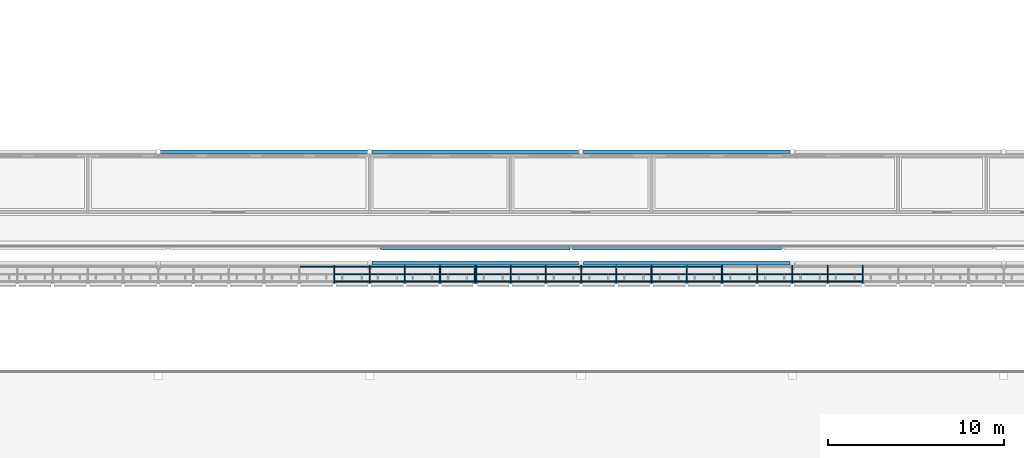
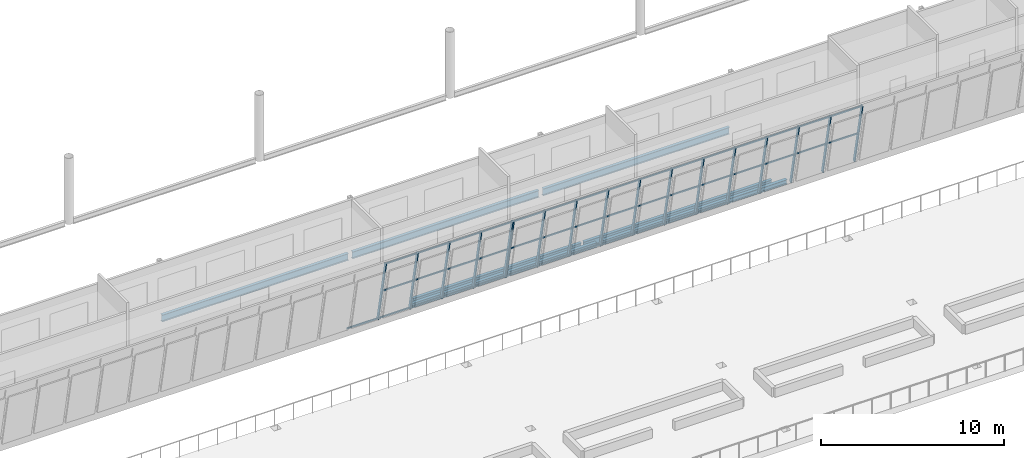
# One storey, part 19 of 95: 59 members, 7 beams, 2 elements without a shape of their own.
"""IFC4 building model written with IfcOpenShell, lengths in metres."""

from ifc_helpers import new_model, si_unit, direction, frame, origin, origin_2d, place, context, subcontext, project, spatial, rectangle, i_section, extrude, material, layer, layer_set, material_profile, profile_set, type_object, element, aggregate, save


model = new_model("IFC4")

# Units and contexts
model_context = context("Model", 3, precision=1e-05, world=origin(), true_north=direction((0.0, 1.0)))
body_context = subcontext(model_context, "Body", "Model", "MODEL_VIEW")
ifc_project = project(units=[si_unit("LENGTHUNIT", "METRE"), si_unit("AREAUNIT", "SQUARE_METRE"), si_unit("VOLUMEUNIT", "CUBIC_METRE"), si_unit("PLANEANGLEUNIT", "RADIAN"), si_unit("MASSUNIT", "GRAM", prefix="KILO")], contexts=[model_context])

# Site, building, storey
site_placement = place(None, origin())
site = spatial("IfcSite", under=ifc_project, at=site_placement, CompositionType="ELEMENT")
building_placement = place(site_placement, origin())
building = spatial("IfcBuilding", under=site, at=building_placement, Name="Windward Yard Aquatics Centre", CompositionType="ELEMENT")
storey_placement = place(building_placement, frame((0.0, 0.0, 9.39990234375)))
storey = spatial("IfcBuildingStorey", under=building, at=storey_placement, Name="L02", CompositionType="ELEMENT", Elevation=9.39990234375)

# Curtain wall, members
ifc_material_1 = material(Name="Glass and aluminium curtain wall", Category="aluminium")
ifc_layer = layer(ifc_material_1, 0.179931640625)
ifc_layer_set = layer_set([ifc_layer], Name="H curtain wall tier 1 double glazed 8+16+8")
curtain_wall_type = type_object("IfcCurtainWallType", Name="H curtain wall tier 1 double glazed 8+16+8", PredefinedType="NOTDEFINED", material=ifc_layer_set)
curtain_wall_1_placement = place(storey_placement, origin())
curtain_wall_1 = element("IfcCurtainWall", 1, at=curtain_wall_1_placement, inside=storey, type_object=curtain_wall_type, Name="Tier 1 glazing S L02", PredefinedType="NOTDEFINED")
ifc_material_2 = material(Name="Aluminium 6063-T6 anodised", Category="aluminium")
ifc_material_profile_1 = material_profile(ifc_material_2, rectangle(XDim=0.06494140625, YDim=0.179931640625, at=origin_2d()), Name="H CW mullion 65x180")
ifc_profile_set_1 = profile_set([ifc_material_profile_1], Name="Aluminium 6063-T6 anodised")
member_type_1 = type_object("IfcMemberType", Name="H CW mullion 65x180", PredefinedType="MULLION", material=ifc_profile_set_1)
member_1_placement = place(storey_placement, frame((93.99609375, 25.196533203125, 0.0), z_axis=(0.0, -0.199322032497, 0.979934042352), x_axis=(1.0, 0.0, 0.0)))
member_1 = element("IfcMember", 2, at=member_1_placement, type_object=member_type_1, Name="G1SA mullion 16", PredefinedType="MULLION", context=body_context, shape_type="SweptSolid", body=[
    extrude(rectangle(XDim=0.06494140625, YDim=0.179931640625, at=origin_2d()), origin(), (0.0, 0.0, 1.0), 4.31884765625),
])
member_2_placement = place(storey_placement, frame((95.995849609375, 25.196533203125, 0.0), z_axis=(0.0, -0.199322032497, 0.979934042352), x_axis=(1.0, 0.0, 0.0)))
member_2 = element("IfcMember", 3, at=member_2_placement, type_object=member_type_1, Name="G1SA mullion 17", PredefinedType="MULLION", context=body_context, shape_type="SweptSolid", body=[
    extrude(rectangle(XDim=0.06494140625, YDim=0.179931640625, at=origin_2d()), origin(), (0.0, 0.0, 1.0), 4.31884765625),
])
member_3_placement = place(storey_placement, frame((97.99560546875, 25.196533203125, 0.0), z_axis=(0.0, -0.199322032497, 0.979934042352), x_axis=(1.0, 0.0, 0.0)))
member_3 = element("IfcMember", 4, at=member_3_placement, type_object=member_type_1, Name="G1SA mullion 18", PredefinedType="MULLION", context=body_context, shape_type="SweptSolid", body=[
    extrude(rectangle(XDim=0.06494140625, YDim=0.179931640625, at=origin_2d()), origin(), (0.0, 0.0, 1.0), 4.31884765625),
])
member_4_placement = place(storey_placement, frame((99.995361328125, 25.196533203125, 0.0), z_axis=(0.0, -0.199322032497, 0.979934042352), x_axis=(1.0, 0.0, 0.0)))
member_4 = element("IfcMember", 5, at=member_4_placement, type_object=member_type_1, Name="G1SA mullion 19", PredefinedType="MULLION", context=body_context, shape_type="SweptSolid", body=[
    extrude(rectangle(XDim=0.06494140625, YDim=0.179931640625, at=origin_2d()), origin(), (0.0, 0.0, 1.0), 4.31884765625),
])
member_5_placement = place(storey_placement, frame((101.96240234375, 25.196533203125, 0.0), z_axis=(0.0, -0.199322032497, 0.979934042352), x_axis=(1.0, 0.0, 0.0)))
member_5 = element("IfcMember", 6, at=member_5_placement, type_object=member_type_1, Name="G1SA mullion 20", PredefinedType="MULLION", context=body_context, shape_type="SweptSolid", body=[
    extrude(rectangle(XDim=0.06494140625, YDim=0.179931640625, at=origin_2d()), origin(), (0.0, 0.0, 1.0), 4.31884765625),
])

curtain_wall_2_placement = place(storey_placement, origin())
curtain_wall_2 = element("IfcCurtainWall", 7, at=curtain_wall_2_placement, inside=storey, type_object=curtain_wall_type, Name="Tier 1 glazing S L02", PredefinedType="NOTDEFINED")
member_6_placement = place(storey_placement, frame((102.03759765625, 25.196533203125, 0.0), z_axis=(0.0, -0.199322032497, 0.979934042352), x_axis=(1.0, 0.0, 0.0)))
member_6 = element("IfcMember", 8, at=member_6_placement, type_object=member_type_1, Name="G1SB mullion 1", PredefinedType="MULLION", context=body_context, shape_type="SweptSolid", body=[
    extrude(rectangle(XDim=0.06494140625, YDim=0.179931640625, at=origin_2d()), origin(), (0.0, 0.0, 1.0), 4.31884765625),
])
member_7_placement = place(storey_placement, frame((104.004638671875, 25.196533203125, 0.0), z_axis=(0.0, -0.199322032497, 0.979934042352), x_axis=(1.0, 0.0, 0.0)))
member_7 = element("IfcMember", 9, at=member_7_placement, type_object=member_type_1, Name="G1SB mullion 2", PredefinedType="MULLION", context=body_context, shape_type="SweptSolid", body=[
    extrude(rectangle(XDim=0.06494140625, YDim=0.179931640625, at=origin_2d()), origin(), (0.0, 0.0, 1.0), 4.31884765625),
])
member_8_placement = place(storey_placement, frame((106.00439453125, 25.196533203125, 0.0), z_axis=(0.0, -0.199322032497, 0.979934042352), x_axis=(1.0, 0.0, 0.0)))
member_8 = element("IfcMember", 10, at=member_8_placement, type_object=member_type_1, Name="G1SB mullion 3", PredefinedType="MULLION", context=body_context, shape_type="SweptSolid", body=[
    extrude(rectangle(XDim=0.06494140625, YDim=0.179931640625, at=origin_2d()), origin(), (0.0, 0.0, 1.0), 4.31884765625),
])
member_9_placement = place(storey_placement, frame((108.004150390625, 25.196533203125, 0.0), z_axis=(0.0, -0.199322032497, 0.979934042352), x_axis=(1.0, 0.0, 0.0)))
member_9 = element("IfcMember", 11, at=member_9_placement, type_object=member_type_1, Name="G1SB mullion 4", PredefinedType="MULLION", context=body_context, shape_type="SweptSolid", body=[
    extrude(rectangle(XDim=0.06494140625, YDim=0.179931640625, at=origin_2d()), origin(), (0.0, 0.0, 1.0), 4.31884765625),
])
member_10_placement = place(storey_placement, frame((110.00390625, 25.196533203125, 0.0), z_axis=(0.0, -0.199322032497, 0.979934042352), x_axis=(1.0, 0.0, 0.0)))
member_10 = element("IfcMember", 12, at=member_10_placement, type_object=member_type_1, Name="G1SB mullion 5", PredefinedType="MULLION", context=body_context, shape_type="SweptSolid", body=[
    extrude(rectangle(XDim=0.06494140625, YDim=0.179931640625, at=origin_2d()), origin(), (0.0, 0.0, 1.0), 4.31884765625),
])
member_11_placement = place(storey_placement, frame((112.003662109375, 25.196533203125, 0.0), z_axis=(0.0, -0.199322032497, 0.979934042352), x_axis=(1.0, 0.0, 0.0)))
member_11 = element("IfcMember", 13, at=member_11_placement, type_object=member_type_1, Name="G1SB mullion 6", PredefinedType="MULLION", context=body_context, shape_type="SweptSolid", body=[
    extrude(rectangle(XDim=0.06494140625, YDim=0.179931640625, at=origin_2d()), origin(), (0.0, 0.0, 1.0), 4.31884765625),
])
member_12_placement = place(storey_placement, frame((114.00341796875, 25.196533203125, 0.0), z_axis=(0.0, -0.199322032497, 0.979934042352), x_axis=(1.0, 0.0, 0.0)))
member_12 = element("IfcMember", 14, at=member_12_placement, type_object=member_type_1, Name="G1SB mullion 7", PredefinedType="MULLION", context=body_context, shape_type="SweptSolid", body=[
    extrude(rectangle(XDim=0.06494140625, YDim=0.179931640625, at=origin_2d()), origin(), (0.0, 0.0, 1.0), 4.31884765625),
])
member_13_placement = place(storey_placement, frame((116.003173828125, 25.196533203125, 0.0), z_axis=(0.0, -0.199322032497, 0.979934042352), x_axis=(1.0, 0.0, 0.0)))
member_13 = element("IfcMember", 15, at=member_13_placement, type_object=member_type_1, Name="G1SB mullion 8", PredefinedType="MULLION", context=body_context, shape_type="SweptSolid", body=[
    extrude(rectangle(XDim=0.06494140625, YDim=0.179931640625, at=origin_2d()), origin(), (0.0, 0.0, 1.0), 4.31884765625),
])
member_14_placement = place(storey_placement, frame((118.0029296875, 25.196533203125, 0.0), z_axis=(0.0, -0.199322032497, 0.979934042352), x_axis=(1.0, 0.0, 0.0)))
member_14 = element("IfcMember", 16, at=member_14_placement, type_object=member_type_1, Name="G1SB mullion 9", PredefinedType="MULLION", context=body_context, shape_type="SweptSolid", body=[
    extrude(rectangle(XDim=0.06494140625, YDim=0.179931640625, at=origin_2d()), origin(), (0.0, 0.0, 1.0), 4.31884765625),
])
member_15_placement = place(storey_placement, frame((120.002685546875, 25.196533203125, 0.0), z_axis=(0.0, -0.199322032497, 0.979934042352), x_axis=(1.0, 0.0, 0.0)))
member_15 = element("IfcMember", 17, at=member_15_placement, type_object=member_type_1, Name="G1SB mullion 10", PredefinedType="MULLION", context=body_context, shape_type="SweptSolid", body=[
    extrude(rectangle(XDim=0.06494140625, YDim=0.179931640625, at=origin_2d()), origin(), (0.0, 0.0, 1.0), 4.31884765625),
])
member_16_placement = place(storey_placement, frame((122.00244140625, 25.196533203125, 0.0), z_axis=(0.0, -0.199322032497, 0.979934042352), x_axis=(1.0, 0.0, 0.0)))
member_16 = element("IfcMember", 18, at=member_16_placement, type_object=member_type_1, Name="G1SB mullion 11", PredefinedType="MULLION", context=body_context, shape_type="SweptSolid", body=[
    extrude(rectangle(XDim=0.06494140625, YDim=0.179931640625, at=origin_2d()), origin(), (0.0, 0.0, 1.0), 4.31884765625),
])
member_17_placement = place(storey_placement, frame((124.002197265625, 25.196533203125, 0.0), z_axis=(0.0, -0.199322032497, 0.979934042352), x_axis=(1.0, 0.0, 0.0)))
member_17 = element("IfcMember", 19, at=member_17_placement, type_object=member_type_1, Name="G1SB mullion 12", PredefinedType="MULLION", context=body_context, shape_type="SweptSolid", body=[
    extrude(rectangle(XDim=0.06494140625, YDim=0.179931640625, at=origin_2d()), origin(), (0.0, 0.0, 1.0), 4.31884765625),
])

# Member
ifc_material_profile_2 = material_profile(ifc_material_2, rectangle(XDim=0.06494140625, YDim=0.10009765625, at=origin_2d()), Name="H CW transom 65x100")
ifc_profile_set_2 = profile_set([ifc_material_profile_2], Name="Aluminium 6063-T6 anodised")
member_type_2 = type_object("IfcMemberType", Name="H CW transom 65x100", PredefinedType="USERDEFINED", material=ifc_profile_set_2)
member_18_placement = place(storey_placement, frame((92.02880859375, 25.186767578125, 0.049072265625), z_axis=(1.0, 0.0, 0.0), x_axis=(0.0, 0.9799247046, 0.19936793452)))
member_18 = element("IfcMember", 20, at=member_18_placement, type_object=member_type_2, Name="G1SA transom 15.1", ObjectType="TRANSOM", PredefinedType="USERDEFINED", context=body_context, shape_type="SweptSolid", body=[
    extrude(rectangle(XDim=0.06494140625, YDim=0.10009765625, at=origin_2d()), origin(), (0.0, 0.0, 1.0), 1.934814453125),
])

member_19_placement = place(storey_placement, frame((94.028564453125, 25.186767578125, 0.049072265625), z_axis=(1.0, 0.0, 0.0), x_axis=(0.0, 0.9799247046, 0.19936793452)))
member_19 = element("IfcMember", 21, at=member_19_placement, type_object=member_type_2, Name="G1SA transom 16.1", ObjectType="TRANSOM", PredefinedType="USERDEFINED", context=body_context, shape_type="SweptSolid", body=[
    extrude(rectangle(XDim=0.06494140625, YDim=0.10009765625, at=origin_2d()), origin(), (0.0, 0.0, 1.0), 1.934814453125),
])

member_20_placement = place(storey_placement, frame((94.028564453125, 24.764404296875, 2.125), z_axis=(1.0, 0.0, 0.0), x_axis=(0.0, 0.9799247046, 0.19936793452)))
member_20 = element("IfcMember", 22, at=member_20_placement, type_object=member_type_2, Name="G1SA transom 16.2", ObjectType="TRANSOM", PredefinedType="USERDEFINED", context=body_context, shape_type="SweptSolid", body=[
    extrude(rectangle(XDim=0.06494140625, YDim=0.10009765625, at=origin_2d()), origin(), (0.0, 0.0, 1.0), 1.934814453125),
])

member_21_placement = place(storey_placement, frame((94.028564453125, 24.34326171875, 4.194580078125), z_axis=(1.0, 0.0, 0.0), x_axis=(0.0, 0.9799247046, 0.19936793452)))
member_21 = element("IfcMember", 23, at=member_21_placement, type_object=member_type_2, Name="G1SA transom 16.3", ObjectType="TRANSOM", PredefinedType="USERDEFINED", context=body_context, shape_type="SweptSolid", body=[
    extrude(rectangle(XDim=0.06494140625, YDim=0.10009765625, at=origin_2d()), origin(), (0.0, 0.0, 1.0), 1.934814453125),
])

member_22_placement = place(storey_placement, frame((96.0283203125, 25.186767578125, 0.049072265625), z_axis=(1.0, 0.0, 0.0), x_axis=(0.0, 0.9799247046, 0.19936793452)))
member_22 = element("IfcMember", 24, at=member_22_placement, type_object=member_type_2, Name="G1SA transom 17.1", ObjectType="TRANSOM", PredefinedType="USERDEFINED", context=body_context, shape_type="SweptSolid", body=[
    extrude(rectangle(XDim=0.06494140625, YDim=0.10009765625, at=origin_2d()), origin(), (0.0, 0.0, 1.0), 1.934814453125),
])

member_23_placement = place(storey_placement, frame((96.0283203125, 24.764404296875, 2.125), z_axis=(1.0, 0.0, 0.0), x_axis=(0.0, 0.9799247046, 0.19936793452)))
member_23 = element("IfcMember", 25, at=member_23_placement, type_object=member_type_2, Name="G1SA transom 17.2", ObjectType="TRANSOM", PredefinedType="USERDEFINED", context=body_context, shape_type="SweptSolid", body=[
    extrude(rectangle(XDim=0.06494140625, YDim=0.10009765625, at=origin_2d()), origin(), (0.0, 0.0, 1.0), 1.934814453125),
])

member_24_placement = place(storey_placement, frame((96.0283203125, 24.34326171875, 4.194580078125), z_axis=(1.0, 0.0, 0.0), x_axis=(0.0, 0.9799247046, 0.19936793452)))
member_24 = element("IfcMember", 26, at=member_24_placement, type_object=member_type_2, Name="G1SA transom 17.3", ObjectType="TRANSOM", PredefinedType="USERDEFINED", context=body_context, shape_type="SweptSolid", body=[
    extrude(rectangle(XDim=0.06494140625, YDim=0.10009765625, at=origin_2d()), origin(), (0.0, 0.0, 1.0), 1.934814453125),
])

member_25_placement = place(storey_placement, frame((98.028076171875, 25.186767578125, 0.049072265625), z_axis=(1.0, 0.0, 0.0), x_axis=(0.0, 0.9799247046, 0.19936793452)))
member_25 = element("IfcMember", 27, at=member_25_placement, type_object=member_type_2, Name="G1SA transom 18.1", ObjectType="TRANSOM", PredefinedType="USERDEFINED", context=body_context, shape_type="SweptSolid", body=[
    extrude(rectangle(XDim=0.06494140625, YDim=0.10009765625, at=origin_2d()), origin(), (0.0, 0.0, 1.0), 1.9345703125),
])

member_26_placement = place(storey_placement, frame((98.028076171875, 24.764404296875, 2.125), z_axis=(1.0, 0.0, 0.0), x_axis=(0.0, 0.9799247046, 0.19936793452)))
member_26 = element("IfcMember", 28, at=member_26_placement, type_object=member_type_2, Name="G1SA transom 18.2", ObjectType="TRANSOM", PredefinedType="USERDEFINED", context=body_context, shape_type="SweptSolid", body=[
    extrude(rectangle(XDim=0.06494140625, YDim=0.10009765625, at=origin_2d()), origin(), (0.0, 0.0, 1.0), 1.9345703125),
])

member_27_placement = place(storey_placement, frame((98.028076171875, 24.34326171875, 4.194580078125), z_axis=(1.0, 0.0, 0.0), x_axis=(0.0, 0.9799247046, 0.19936793452)))
member_27 = element("IfcMember", 29, at=member_27_placement, type_object=member_type_2, Name="G1SA transom 18.3", ObjectType="TRANSOM", PredefinedType="USERDEFINED", context=body_context, shape_type="SweptSolid", body=[
    extrude(rectangle(XDim=0.06494140625, YDim=0.10009765625, at=origin_2d()), origin(), (0.0, 0.0, 1.0), 1.9345703125),
])

member_28_placement = place(storey_placement, frame((100.02783203125, 25.186767578125, 0.049072265625), z_axis=(1.0, 0.0, 0.0), x_axis=(0.0, 0.9799247046, 0.19936793452)))
member_28 = element("IfcMember", 30, at=member_28_placement, type_object=member_type_2, Name="G1SA transom 19.1", ObjectType="TRANSOM", PredefinedType="USERDEFINED", context=body_context, shape_type="SweptSolid", body=[
    extrude(rectangle(XDim=0.06494140625, YDim=0.10009765625, at=origin_2d()), origin(), (0.0, 0.0, 1.0), 1.902099609375),
])

member_29_placement = place(storey_placement, frame((100.02783203125, 24.764404296875, 2.125), z_axis=(1.0, 0.0, 0.0), x_axis=(0.0, 0.9799247046, 0.19936793452)))
member_29 = element("IfcMember", 31, at=member_29_placement, type_object=member_type_2, Name="G1SA transom 19.2", ObjectType="TRANSOM", PredefinedType="USERDEFINED", context=body_context, shape_type="SweptSolid", body=[
    extrude(rectangle(XDim=0.06494140625, YDim=0.10009765625, at=origin_2d()), origin(), (0.0, 0.0, 1.0), 1.902099609375),
])

member_30_placement = place(storey_placement, frame((100.02783203125, 24.34326171875, 4.194580078125), z_axis=(1.0, 0.0, 0.0), x_axis=(0.0, 0.9799247046, 0.19936793452)))
member_30 = element("IfcMember", 32, at=member_30_placement, type_object=member_type_2, Name="G1SA transom 19.3", ObjectType="TRANSOM", PredefinedType="USERDEFINED", context=body_context, shape_type="SweptSolid", body=[
    extrude(rectangle(XDim=0.06494140625, YDim=0.10009765625, at=origin_2d()), origin(), (0.0, 0.0, 1.0), 1.902099609375),
])

aggregate(curtain_wall_1, [member_1, member_2, member_3, member_4, member_5, member_18, member_19, member_20, member_21, member_22, member_23, member_24, member_25, member_26, member_27, member_28, member_29, member_30])

member_31_placement = place(storey_placement, frame((102.070068359375, 25.186767578125, 0.049072265625), z_axis=(1.0, 0.0, 0.0), x_axis=(0.0, 0.9799247046, 0.19936793452)))
member_31 = element("IfcMember", 33, at=member_31_placement, type_object=member_type_2, Name="G1SB transom 1.1", ObjectType="TRANSOM", PredefinedType="USERDEFINED", context=body_context, shape_type="SweptSolid", body=[
    extrude(rectangle(XDim=0.06494140625, YDim=0.10009765625, at=origin_2d()), origin(), (0.0, 0.0, 1.0), 1.902099609375),
])

member_32_placement = place(storey_placement, frame((102.070068359375, 24.764404296875, 2.125), z_axis=(1.0, 0.0, 0.0), x_axis=(0.0, 0.9799247046, 0.19936793452)))
member_32 = element("IfcMember", 34, at=member_32_placement, type_object=member_type_2, Name="G1SB transom 1.2", ObjectType="TRANSOM", PredefinedType="USERDEFINED", context=body_context, shape_type="SweptSolid", body=[
    extrude(rectangle(XDim=0.06494140625, YDim=0.10009765625, at=origin_2d()), origin(), (0.0, 0.0, 1.0), 1.902099609375),
])

member_33_placement = place(storey_placement, frame((102.070068359375, 24.34326171875, 4.194580078125), z_axis=(1.0, 0.0, 0.0), x_axis=(0.0, 0.9799247046, 0.19936793452)))
member_33 = element("IfcMember", 35, at=member_33_placement, type_object=member_type_2, Name="G1SB transom 1.3", ObjectType="TRANSOM", PredefinedType="USERDEFINED", context=body_context, shape_type="SweptSolid", body=[
    extrude(rectangle(XDim=0.06494140625, YDim=0.10009765625, at=origin_2d()), origin(), (0.0, 0.0, 1.0), 1.902099609375),
])

member_34_placement = place(storey_placement, frame((104.037353515625, 25.186767578125, 0.049072265625), z_axis=(1.0, 0.0, 0.0), x_axis=(0.0, 0.9799247046, 0.19936793452)))
member_34 = element("IfcMember", 36, at=member_34_placement, type_object=member_type_2, Name="G1SB transom 2.1", ObjectType="TRANSOM", PredefinedType="USERDEFINED", context=body_context, shape_type="SweptSolid", body=[
    extrude(rectangle(XDim=0.06494140625, YDim=0.10009765625, at=origin_2d()), origin(), (0.0, 0.0, 1.0), 1.9345703125),
])

member_35_placement = place(storey_placement, frame((104.037353515625, 24.764404296875, 2.125), z_axis=(1.0, 0.0, 0.0), x_axis=(0.0, 0.9799247046, 0.19936793452)))
member_35 = element("IfcMember", 37, at=member_35_placement, type_object=member_type_2, Name="G1SB transom 2.2", ObjectType="TRANSOM", PredefinedType="USERDEFINED", context=body_context, shape_type="SweptSolid", body=[
    extrude(rectangle(XDim=0.06494140625, YDim=0.10009765625, at=origin_2d()), origin(), (0.0, 0.0, 1.0), 1.9345703125),
])

member_36_placement = place(storey_placement, frame((104.037353515625, 24.34326171875, 4.194580078125), z_axis=(1.0, 0.0, 0.0), x_axis=(0.0, 0.9799247046, 0.19936793452)))
member_36 = element("IfcMember", 38, at=member_36_placement, type_object=member_type_2, Name="G1SB transom 2.3", ObjectType="TRANSOM", PredefinedType="USERDEFINED", context=body_context, shape_type="SweptSolid", body=[
    extrude(rectangle(XDim=0.06494140625, YDim=0.10009765625, at=origin_2d()), origin(), (0.0, 0.0, 1.0), 1.9345703125),
])

member_37_placement = place(storey_placement, frame((106.036865234375, 25.186767578125, 0.049072265625), z_axis=(1.0, 0.0, 0.0), x_axis=(0.0, 0.9799247046, 0.19936793452)))
member_37 = element("IfcMember", 39, at=member_37_placement, type_object=member_type_2, Name="G1SB transom 3.1", ObjectType="TRANSOM", PredefinedType="USERDEFINED", context=body_context, shape_type="SweptSolid", body=[
    extrude(rectangle(XDim=0.06494140625, YDim=0.10009765625, at=origin_2d()), origin(), (0.0, 0.0, 1.0), 1.934814453125),
])

member_38_placement = place(storey_placement, frame((106.036865234375, 24.764404296875, 2.125), z_axis=(1.0, 0.0, 0.0), x_axis=(0.0, 0.9799247046, 0.19936793452)))
member_38 = element("IfcMember", 40, at=member_38_placement, type_object=member_type_2, Name="G1SB transom 3.2", ObjectType="TRANSOM", PredefinedType="USERDEFINED", context=body_context, shape_type="SweptSolid", body=[
    extrude(rectangle(XDim=0.06494140625, YDim=0.10009765625, at=origin_2d()), origin(), (0.0, 0.0, 1.0), 1.934814453125),
])

member_39_placement = place(storey_placement, frame((106.036865234375, 24.34326171875, 4.194580078125), z_axis=(1.0, 0.0, 0.0), x_axis=(0.0, 0.9799247046, 0.19936793452)))
member_39 = element("IfcMember", 41, at=member_39_placement, type_object=member_type_2, Name="G1SB transom 3.3", ObjectType="TRANSOM", PredefinedType="USERDEFINED", context=body_context, shape_type="SweptSolid", body=[
    extrude(rectangle(XDim=0.06494140625, YDim=0.10009765625, at=origin_2d()), origin(), (0.0, 0.0, 1.0), 1.934814453125),
])

member_40_placement = place(storey_placement, frame((108.03662109375, 25.186767578125, 0.049072265625), z_axis=(1.0, 0.0, 0.0), x_axis=(0.0, 0.9799247046, 0.19936793452)))
member_40 = element("IfcMember", 42, at=member_40_placement, type_object=member_type_2, Name="G1SB transom 4.1", ObjectType="TRANSOM", PredefinedType="USERDEFINED", context=body_context, shape_type="SweptSolid", body=[
    extrude(rectangle(XDim=0.06494140625, YDim=0.10009765625, at=origin_2d()), origin(), (0.0, 0.0, 1.0), 1.934814453125),
])

member_41_placement = place(storey_placement, frame((108.03662109375, 24.764404296875, 2.125), z_axis=(1.0, 0.0, 0.0), x_axis=(0.0, 0.9799247046, 0.19936793452)))
member_41 = element("IfcMember", 43, at=member_41_placement, type_object=member_type_2, Name="G1SB transom 4.2", ObjectType="TRANSOM", PredefinedType="USERDEFINED", context=body_context, shape_type="SweptSolid", body=[
    extrude(rectangle(XDim=0.06494140625, YDim=0.10009765625, at=origin_2d()), origin(), (0.0, 0.0, 1.0), 1.934814453125),
])

member_42_placement = place(storey_placement, frame((108.03662109375, 24.34326171875, 4.194580078125), z_axis=(1.0, 0.0, 0.0), x_axis=(0.0, 0.9799247046, 0.19936793452)))
member_42 = element("IfcMember", 44, at=member_42_placement, type_object=member_type_2, Name="G1SB transom 4.3", ObjectType="TRANSOM", PredefinedType="USERDEFINED", context=body_context, shape_type="SweptSolid", body=[
    extrude(rectangle(XDim=0.06494140625, YDim=0.10009765625, at=origin_2d()), origin(), (0.0, 0.0, 1.0), 1.934814453125),
])

member_43_placement = place(storey_placement, frame((110.036376953125, 25.186767578125, 0.049072265625), z_axis=(1.0, 0.0, 0.0), x_axis=(0.0, 0.9799247046, 0.19936793452)))
member_43 = element("IfcMember", 45, at=member_43_placement, type_object=member_type_2, Name="G1SB transom 5.1", ObjectType="TRANSOM", PredefinedType="USERDEFINED", context=body_context, shape_type="SweptSolid", body=[
    extrude(rectangle(XDim=0.06494140625, YDim=0.10009765625, at=origin_2d()), origin(), (0.0, 0.0, 1.0), 1.934814453125),
])

member_44_placement = place(storey_placement, frame((110.036376953125, 24.764404296875, 2.125), z_axis=(1.0, 0.0, 0.0), x_axis=(0.0, 0.9799247046, 0.19936793452)))
member_44 = element("IfcMember", 46, at=member_44_placement, type_object=member_type_2, Name="G1SB transom 5.2", ObjectType="TRANSOM", PredefinedType="USERDEFINED", context=body_context, shape_type="SweptSolid", body=[
    extrude(rectangle(XDim=0.06494140625, YDim=0.10009765625, at=origin_2d()), origin(), (0.0, 0.0, 1.0), 1.934814453125),
])

member_45_placement = place(storey_placement, frame((110.036376953125, 24.34326171875, 4.194580078125), z_axis=(1.0, 0.0, 0.0), x_axis=(0.0, 0.9799247046, 0.19936793452)))
member_45 = element("IfcMember", 47, at=member_45_placement, type_object=member_type_2, Name="G1SB transom 5.3", ObjectType="TRANSOM", PredefinedType="USERDEFINED", context=body_context, shape_type="SweptSolid", body=[
    extrude(rectangle(XDim=0.06494140625, YDim=0.10009765625, at=origin_2d()), origin(), (0.0, 0.0, 1.0), 1.934814453125),
])

member_46_placement = place(storey_placement, frame((112.0361328125, 25.186767578125, 0.049072265625), z_axis=(1.0, 0.0, 0.0), x_axis=(0.0, 0.9799247046, 0.19936793452)))
member_46 = element("IfcMember", 48, at=member_46_placement, type_object=member_type_2, Name="G1SB transom 6.1", ObjectType="TRANSOM", PredefinedType="USERDEFINED", context=body_context, shape_type="SweptSolid", body=[
    extrude(rectangle(XDim=0.06494140625, YDim=0.10009765625, at=origin_2d()), origin(), (0.0, 0.0, 1.0), 1.934814453125),
])

member_47_placement = place(storey_placement, frame((112.0361328125, 24.764404296875, 2.125), z_axis=(1.0, 0.0, 0.0), x_axis=(0.0, 0.9799247046, 0.19936793452)))
member_47 = element("IfcMember", 49, at=member_47_placement, type_object=member_type_2, Name="G1SB transom 6.2", ObjectType="TRANSOM", PredefinedType="USERDEFINED", context=body_context, shape_type="SweptSolid", body=[
    extrude(rectangle(XDim=0.06494140625, YDim=0.10009765625, at=origin_2d()), origin(), (0.0, 0.0, 1.0), 1.934814453125),
])

member_48_placement = place(storey_placement, frame((112.0361328125, 24.34326171875, 4.194580078125), z_axis=(1.0, 0.0, 0.0), x_axis=(0.0, 0.9799247046, 0.19936793452)))
member_48 = element("IfcMember", 50, at=member_48_placement, type_object=member_type_2, Name="G1SB transom 6.3", ObjectType="TRANSOM", PredefinedType="USERDEFINED", context=body_context, shape_type="SweptSolid", body=[
    extrude(rectangle(XDim=0.06494140625, YDim=0.10009765625, at=origin_2d()), origin(), (0.0, 0.0, 1.0), 1.934814453125),
])

member_49_placement = place(storey_placement, frame((114.035888671875, 25.186767578125, 0.049072265625), z_axis=(1.0, 0.0, 0.0), x_axis=(0.0, 0.9799247046, 0.19936793452)))
member_49 = element("IfcMember", 51, at=member_49_placement, type_object=member_type_2, Name="G1SB transom 7.1", ObjectType="TRANSOM", PredefinedType="USERDEFINED", context=body_context, shape_type="SweptSolid", body=[
    extrude(rectangle(XDim=0.06494140625, YDim=0.10009765625, at=origin_2d()), origin(), (0.0, 0.0, 1.0), 1.934814453125),
])

member_50_placement = place(storey_placement, frame((114.035888671875, 24.764404296875, 2.125), z_axis=(1.0, 0.0, 0.0), x_axis=(0.0, 0.9799247046, 0.19936793452)))
member_50 = element("IfcMember", 52, at=member_50_placement, type_object=member_type_2, Name="G1SB transom 7.2", ObjectType="TRANSOM", PredefinedType="USERDEFINED", context=body_context, shape_type="SweptSolid", body=[
    extrude(rectangle(XDim=0.06494140625, YDim=0.10009765625, at=origin_2d()), origin(), (0.0, 0.0, 1.0), 1.934814453125),
])

member_51_placement = place(storey_placement, frame((114.035888671875, 24.34326171875, 4.194580078125), z_axis=(1.0, 0.0, 0.0), x_axis=(0.0, 0.9799247046, 0.19936793452)))
member_51 = element("IfcMember", 53, at=member_51_placement, type_object=member_type_2, Name="G1SB transom 7.3", ObjectType="TRANSOM", PredefinedType="USERDEFINED", context=body_context, shape_type="SweptSolid", body=[
    extrude(rectangle(XDim=0.06494140625, YDim=0.10009765625, at=origin_2d()), origin(), (0.0, 0.0, 1.0), 1.934814453125),
])

member_52_placement = place(storey_placement, frame((116.03564453125, 24.764404296875, 2.125), z_axis=(1.0, 0.0, 0.0), x_axis=(0.0, 0.9799247046, 0.19936793452)))
member_52 = element("IfcMember", 54, at=member_52_placement, type_object=member_type_2, Name="G1SB transom 8.2", ObjectType="TRANSOM", PredefinedType="USERDEFINED", context=body_context, shape_type="SweptSolid", body=[
    extrude(rectangle(XDim=0.06494140625, YDim=0.10009765625, at=origin_2d()), origin(), (0.0, 0.0, 1.0), 1.934814453125),
])

member_53_placement = place(storey_placement, frame((116.03564453125, 24.34326171875, 4.194580078125), z_axis=(1.0, 0.0, 0.0), x_axis=(0.0, 0.9799247046, 0.19936793452)))
member_53 = element("IfcMember", 55, at=member_53_placement, type_object=member_type_2, Name="G1SB transom 8.3", ObjectType="TRANSOM", PredefinedType="USERDEFINED", context=body_context, shape_type="SweptSolid", body=[
    extrude(rectangle(XDim=0.06494140625, YDim=0.10009765625, at=origin_2d()), origin(), (0.0, 0.0, 1.0), 1.934814453125),
])

member_54_placement = place(storey_placement, frame((118.035400390625, 24.764404296875, 2.125), z_axis=(1.0, 0.0, 0.0), x_axis=(0.0, 0.9799247046, 0.19936793452)))
member_54 = element("IfcMember", 56, at=member_54_placement, type_object=member_type_2, Name="G1SB transom 9.2", ObjectType="TRANSOM", PredefinedType="USERDEFINED", context=body_context, shape_type="SweptSolid", body=[
    extrude(rectangle(XDim=0.06494140625, YDim=0.10009765625, at=origin_2d()), origin(), (0.0, 0.0, 1.0), 1.934814453125),
])

member_55_placement = place(storey_placement, frame((118.035400390625, 24.34326171875, 4.194580078125), z_axis=(1.0, 0.0, 0.0), x_axis=(0.0, 0.9799247046, 0.19936793452)))
member_55 = element("IfcMember", 57, at=member_55_placement, type_object=member_type_2, Name="G1SB transom 9.3", ObjectType="TRANSOM", PredefinedType="USERDEFINED", context=body_context, shape_type="SweptSolid", body=[
    extrude(rectangle(XDim=0.06494140625, YDim=0.10009765625, at=origin_2d()), origin(), (0.0, 0.0, 1.0), 1.934814453125),
])

member_56_placement = place(storey_placement, frame((120.03515625, 24.764404296875, 2.125), z_axis=(1.0, 0.0, 0.0), x_axis=(0.0, 0.9799247046, 0.19936793452)))
member_56 = element("IfcMember", 58, at=member_56_placement, type_object=member_type_2, Name="G1SB transom 10.2", ObjectType="TRANSOM", PredefinedType="USERDEFINED", context=body_context, shape_type="SweptSolid", body=[
    extrude(rectangle(XDim=0.06494140625, YDim=0.10009765625, at=origin_2d()), origin(), (0.0, 0.0, 1.0), 1.934814453125),
])

member_57_placement = place(storey_placement, frame((120.03515625, 24.34326171875, 4.194580078125), z_axis=(1.0, 0.0, 0.0), x_axis=(0.0, 0.9799247046, 0.19936793452)))
member_57 = element("IfcMember", 59, at=member_57_placement, type_object=member_type_2, Name="G1SB transom 10.3", ObjectType="TRANSOM", PredefinedType="USERDEFINED", context=body_context, shape_type="SweptSolid", body=[
    extrude(rectangle(XDim=0.06494140625, YDim=0.10009765625, at=origin_2d()), origin(), (0.0, 0.0, 1.0), 1.934814453125),
])

member_58_placement = place(storey_placement, frame((122.034912109375, 24.764404296875, 2.125), z_axis=(1.0, 0.0, 0.0), x_axis=(0.0, 0.9799247046, 0.19936793452)))
member_58 = element("IfcMember", 60, at=member_58_placement, type_object=member_type_2, Name="G1SB transom 11.2", ObjectType="TRANSOM", PredefinedType="USERDEFINED", context=body_context, shape_type="SweptSolid", body=[
    extrude(rectangle(XDim=0.06494140625, YDim=0.10009765625, at=origin_2d()), origin(), (0.0, 0.0, 1.0), 1.934814453125),
])

member_59_placement = place(storey_placement, frame((122.034912109375, 24.34326171875, 4.194580078125), z_axis=(1.0, 0.0, 0.0), x_axis=(0.0, 0.9799247046, 0.19936793452)))
member_59 = element("IfcMember", 61, at=member_59_placement, type_object=member_type_2, Name="G1SB transom 11.3", ObjectType="TRANSOM", PredefinedType="USERDEFINED", context=body_context, shape_type="SweptSolid", body=[
    extrude(rectangle(XDim=0.06494140625, YDim=0.10009765625, at=origin_2d()), origin(), (0.0, 0.0, 1.0), 1.934814453125),
])

aggregate(curtain_wall_2, [member_6, member_7, member_8, member_9, member_10, member_11, member_12, member_13, member_14, member_15, member_16, member_17, member_31, member_32, member_33, member_34, member_35, member_36, member_37, member_38, member_39, member_40, member_41, member_42, member_43, member_44, member_45, member_46, member_47, member_48, member_49, member_50, member_51, member_52, member_53, member_54, member_55, member_56, member_57, member_58, member_59])

# Beams
ifc_material_3 = material(Name="Steel ASTM A992 Gr 50", Category="steel")
ifc_material_profile_3 = material_profile(ifc_material_3, i_section(OverallWidth=0.19091796875, OverallDepth=0.45703125, WebThickness=0.009033203125, FlangeThickness=0.014404296875, at=origin_2d()), Name="W460X74")
ifc_profile_set_3 = profile_set([ifc_material_profile_3], Name="Steel ASTM A992 Gr 50")
beam_type_1 = type_object("IfcBeamType", Name="H gallery edge beam W460X74", PredefinedType="BEAM", material=ifc_profile_set_3)
beam_1_placement = place(storey_placement, frame((96.626220703125, 26.22509765625, -0.428466796875), z_axis=(1.0, 0.0, 0.0), x_axis=(0.0, 1.0, 0.0)))
element("IfcBeam", 62, at=beam_1_placement, inside=storey, type_object=beam_type_1, Name="H.GB.S.O5", PredefinedType="BEAM", context=body_context, shape_type="SweptSolid", body=[
    extrude(i_section(OverallWidth=0.19091796875, OverallDepth=0.45703125, WebThickness=0.009033203125, FlangeThickness=0.014404296875, at=origin_2d()), origin(), (0.0, 0.0, 1.0), 10.74755859375),
])
beam_2_placement = place(storey_placement, frame((107.526123046875, 26.22509765625, -0.428466796875), z_axis=(1.0, 0.0, 0.0), x_axis=(0.0, 1.0, 0.0)))
element("IfcBeam", 63, at=beam_2_placement, inside=storey, type_object=beam_type_1, Name="H.GB.S.O6", PredefinedType="BEAM", context=body_context, shape_type="SweptSolid", body=[
    extrude(i_section(OverallWidth=0.19091796875, OverallDepth=0.45703125, WebThickness=0.009033203125, FlangeThickness=0.014404296875, at=origin_2d()), origin(), (0.0, 0.0, 1.0), 11.84765625),
])
for number, where, z_axis, x_axis, name in (
    (64, (84.126953125, 31.709716796875, -0.428466796875), (1.0, 0.0, 0.0), (0.0, 1.0, 0.0), "H.GB.S.I3"),
    (65, (96.126953125, 31.709716796875, -0.428466796875), (1.0, 0.0, 0.0), (0.0, 1.0, 0.0), "H.GB.S.I4"),
    (66, (108.126953125, 31.709716796875, -0.428466796875), (1.0, 0.0, 0.0), (0.0, 1.0, 0.0), "H.GB.S.I5"),
):
    element("IfcBeam", number, at=place(storey_placement, frame(where, z_axis=z_axis, x_axis=x_axis)), inside=storey, type_object=beam_type_1, Name=name, PredefinedType="BEAM", context=body_context, shape_type="SweptSolid", body=[
        extrude(i_section(OverallWidth=0.19091796875, OverallDepth=0.45703125, WebThickness=0.009033203125, FlangeThickness=0.014404296875, at=origin_2d()), origin(), (0.0, 0.0, 1.0), 11.74609375),
    ])
ifc_material_profile_4 = material_profile(ifc_material_3, i_section(OverallWidth=0.202880859375, OverallDepth=0.302001953125, WebThickness=0.007568359375, FlangeThickness=0.01318359375, at=origin_2d()), Name="W310X60")
ifc_profile_set_4 = profile_set([ifc_material_profile_4], Name="Steel ASTM A992 Gr 50")
beam_type_2 = type_object("IfcBeamType", Name="H tier ring beam W310X60", PredefinedType="BEAM", material=ifc_profile_set_4)
for number, where, z_axis, x_axis, name in (
    (67, (96.136474609375, 25.40478515625, 0.0), (1.0, 0.0, 0.0), (0.0, 1.0, 0.0), "H.RG.S4.1"),
    (68, (108.136474609375, 25.40478515625, 0.0), (1.0, 0.0, 0.0), (0.0, 1.0, 0.0), "H.RG.S5.1"),
):
    element("IfcBeam", number, at=place(storey_placement, frame(where, z_axis=z_axis, x_axis=x_axis)), inside=storey, type_object=beam_type_2, Name=name, PredefinedType="BEAM", context=body_context, shape_type="SweptSolid", body=[
        extrude(i_section(OverallWidth=0.202880859375, OverallDepth=0.302001953125, WebThickness=0.007568359375, FlangeThickness=0.01318359375, at=origin_2d()), origin(), (0.0, 0.0, 1.0), 11.72705078125),
    ])

save(model, "model.ifc")
